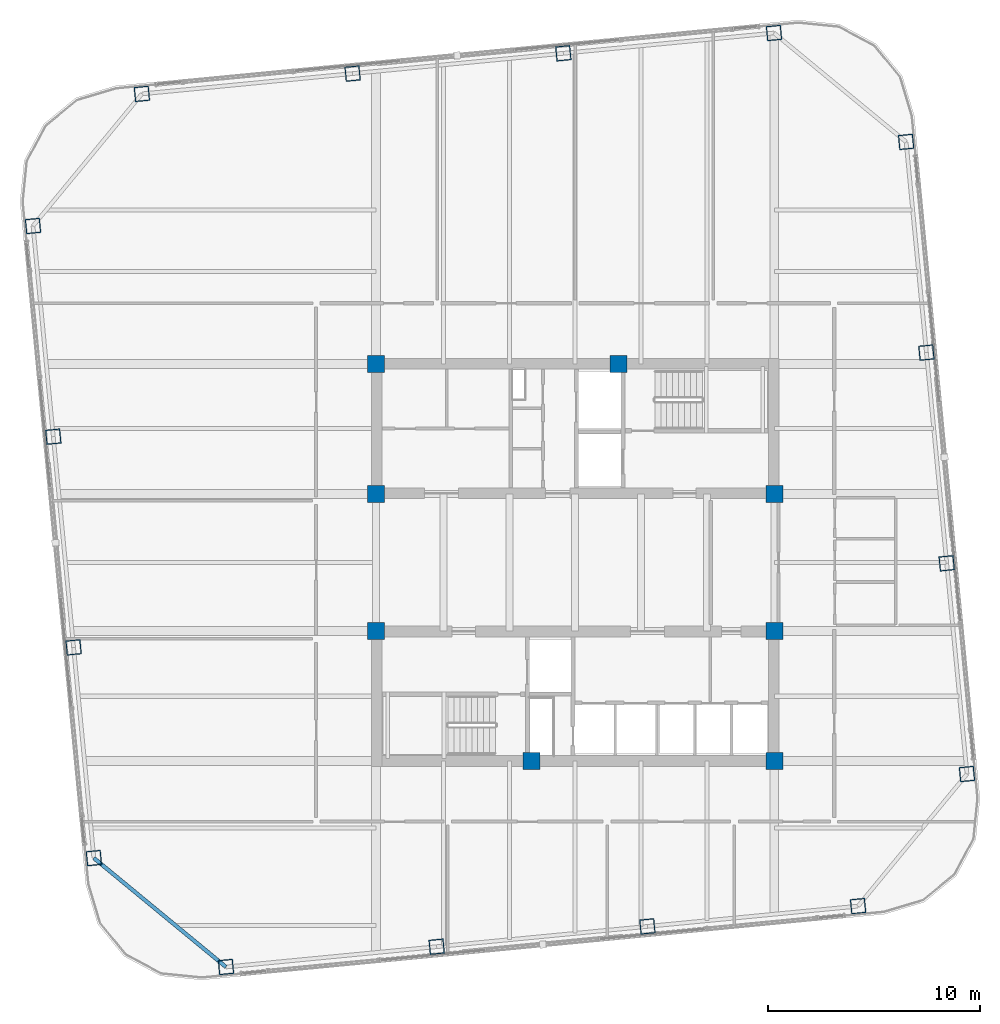
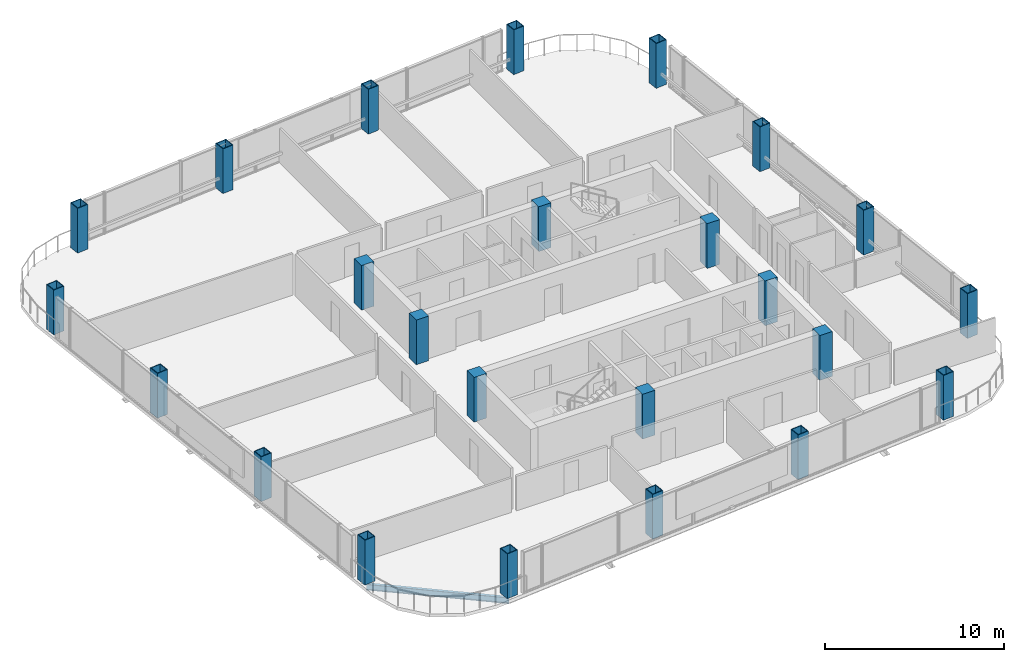
# One storey, part 1 of 29: 24 columns, 1 beam.
"""IFC4 building model written with IfcOpenShell, lengths in metres."""

from ifc_helpers import new_model, si_unit, direction, frame, origin, origin_2d, place, context, subcontext, project, spatial, rectangle, hollow_rectangle, i_section, extrude, material, material_profile, profile_set, type_object, element, save


model = new_model("IFC4")

# Units and contexts
model_context = context("Model", 3, precision=1e-05, world=origin(), true_north=direction((0.0, 1.0)))
body_context = subcontext(model_context, "Body", "Model", "MODEL_VIEW")
ifc_project = project(units=[si_unit("LENGTHUNIT", "METRE"), si_unit("AREAUNIT", "SQUARE_METRE"), si_unit("VOLUMEUNIT", "CUBIC_METRE"), si_unit("PLANEANGLEUNIT", "RADIAN"), si_unit("MASSUNIT", "GRAM", prefix="KILO")], contexts=[model_context])

# Site, building, storey
site_placement = place(None, origin())
site = spatial("IfcSite", under=ifc_project, at=site_placement, CompositionType="ELEMENT")
building_placement = place(site_placement, origin())
building = spatial("IfcBuilding", under=site, at=building_placement, Name="Qhalaya Broadcast Tower", CompositionType="ELEMENT")
storey_placement = place(building_placement, frame((0.0, 0.0, 177.5)))
storey = spatial("IfcBuildingStorey", under=building, at=storey_placement, Name="L52", CompositionType="ELEMENT", Elevation=177.5)

# Columns
ifc_material_1 = material(Name="Concrete C50/60", Category="concrete")
ifc_material_profile_1 = material_profile(ifc_material_1, rectangle(XDim=0.800048828125, YDim=0.800048828125, at=origin_2d()), Name="RC-COL 800x800")
ifc_profile_set_1 = profile_set([ifc_material_profile_1], Name="Concrete C50/60")
column_type_1 = type_object("IfcColumnType", Name="RC Upper Column C10", PredefinedType="COLUMN", material=ifc_profile_set_1)
for number, where, z_axis, x_axis, name in (
    (1, (-9.375, 9.949951171875, 0.0), (0.0, 0.0, 1.0), (1.0, 0.0, 0.0), "L52 Column COL-CC1"),
    (2, (2.050048828125, 9.949951171875, 0.0), (0.0, 0.0, 1.0), (1.0, 0.0, 0.0), "L52 Column COL-CC2"),
    (3, (-9.375, 3.824951171875, 0.0), (0.0, 0.0, 1.0), (1.0, 0.0, 0.0), "L52 Column COL-CC3"),
    (4, (9.375, 3.824951171875, 0.0), (0.0, 0.0, 1.0), (1.0, 0.0, 0.0), "L52 Column COL-CC4"),
    (5, (-9.375, -2.625, 0.0), (0.0, 0.0, 1.0), (1.0, 0.0, 0.0), "L52 Column COL-CC5"),
    (6, (9.375, -2.625, 0.0), (0.0, 0.0, 1.0), (1.0, 0.0, 0.0), "L52 Column COL-CC6"),
    (7, (-2.050048828125, -8.75, 0.0), (0.0, 0.0, 1.0), (1.0, 0.0, 0.0), "L52 Column COL-CC7"),
    (8, (9.375, -8.75, 0.0), (0.0, 0.0, 1.0), (1.0, 0.0, 0.0), "L52 Column COL-CC8"),
):
    element("IfcColumn", number, at=place(storey_placement, frame(where, z_axis=z_axis, x_axis=x_axis)), inside=storey, type_object=column_type_1, Name=name, PredefinedType="COLUMN", context=body_context, shape_type="SweptSolid", body=[
        extrude(rectangle(XDim=0.800048828125, YDim=0.800048828125, at=origin_2d()), origin(), (0.0, 0.0, 1.0), 3.050048828125),
    ])
ifc_material_2 = material(Name="Structural Steel ASTM A572 Grade 50", Category="steel")
ifc_material_profile_2 = material_profile(ifc_material_2, hollow_rectangle(XDim=0.699951171875, YDim=0.699951171875, WallThickness=0.044921875, at=origin_2d()), Name="BOX 700x700x45")
ifc_profile_set_2 = profile_set([ifc_material_profile_2], Name="Structural Steel ASTM A572 Grade 50")
column_type_2 = type_object("IfcColumnType", Name="Steel Box Column C04", PredefinedType="COLUMN", material=ifc_profile_set_2)
for number, where, z_axis, x_axis, name in (
    (9, (-16.44189453125, -18.44775390625, 0.0), (0.0, 0.0, 1.0), (0.995396198367, 0.09584575252, 0.0), "L52 Column COL-EX01"),
    (10, (-6.521240234375, -17.49267578125, 0.0), (0.0, 0.0, 1.0), (0.995396198367, 0.09584575252, 0.0), "L52 Column COL-EX02"),
    (11, (3.399658203125, -16.537353515625, 0.0), (0.0, 0.0, 1.0), (0.995396198367, 0.09584575252, 0.0), "L52 Column COL-EX03"),
    (12, (13.3203125, -15.58203125, 0.0), (0.0, 0.0, 1.0), (0.995396198367, 0.09584575252, 0.0), "L52 Column COL-EX04"),
    (13, (18.44775390625, -9.362060546875, 0.0), (0.0, 0.0, 1.0), (-0.09584575252, 0.995396198367, 0.0), "L52 Column COL-EX05"),
    (14, (17.49267578125, 0.558837890625, 0.0), (0.0, 0.0, 1.0), (-0.09584575252, 0.995396198367, 0.0), "L52 Column COL-EX06"),
    (15, (16.537353515625, 10.4794921875, 0.0), (0.0, 0.0, 1.0), (-0.09584575252, 0.995396198367, 0.0), "L52 Column COL-EX07"),
    (16, (15.58203125, 20.400390625, 0.0), (0.0, 0.0, 1.0), (-0.09584575252, 0.995396198367, 0.0), "L52 Column COL-EX08"),
    (17, (9.362060546875, 25.52783203125, 0.0), (0.0, 0.0, 1.0), (0.995396198367, 0.09584575252, 0.0), "L52 Column COL-EX09"),
    (18, (-0.558837890625, 24.572509765625, 0.0), (0.0, 0.0, 1.0), (0.995396198367, 0.09584575252, 0.0), "L52 Column COL-EX10"),
    (19, (-10.4794921875, 23.6171875, 0.0), (0.0, 0.0, 1.0), (0.995396198367, 0.09584575252, 0.0), "L52 Column COL-EX11"),
    (20, (-20.400390625, 22.662109375, 0.0), (0.0, 0.0, 1.0), (0.995396198367, 0.09584575252, 0.0), "L52 Column COL-EX12"),
    (21, (-25.52783203125, 16.44189453125, 0.0), (0.0, 0.0, 1.0), (-0.09584575252, 0.995396198367, 0.0), "L52 Column COL-EX13"),
    (22, (-24.572509765625, 6.521240234375, 0.0), (0.0, 0.0, 1.0), (-0.09584575252, 0.995396198367, 0.0), "L52 Column COL-EX14"),
    (23, (-23.6171875, -3.399658203125, 0.0), (0.0, 0.0, 1.0), (-0.09584575252, 0.995396198367, 0.0), "L52 Column COL-EX15"),
    (24, (-22.662109375, -13.3203125, 0.0), (0.0, 0.0, 1.0), (-0.09584575252, 0.995396198367, 0.0), "L52 Column COL-EX16"),
):
    element("IfcColumn", number, at=place(storey_placement, frame(where, z_axis=z_axis, x_axis=x_axis)), inside=storey, type_object=column_type_2, Name=name, PredefinedType="COLUMN", context=body_context, shape_type="SweptSolid", body=[
        extrude(hollow_rectangle(XDim=0.699951171875, YDim=0.699951171875, WallThickness=0.044921875, at=origin_2d()), origin(), (0.0, 0.0, 1.0), 3.050048828125),
    ])

# Beam
ifc_material_3 = material(Name="Structural Steel ASTM A992 Grade 50", Category="steel")
ifc_material_profile_3 = material_profile(ifc_material_3, i_section(OverallWidth=0.177978515625, OverallDepth=0.406005859375, WebThickness=0.0078125, FlangeThickness=0.0126953125, at=origin_2d()), Name="W16X40")
ifc_profile_set_3 = profile_set([ifc_material_profile_3], Name="Structural Steel ASTM A992 Grade 50")
beam_type = type_object("IfcBeamType", Name="Upper Perimeter Spandrel Beam SP2", PredefinedType="SPANDREL", material=ifc_profile_set_3)
beam_placement = place(storey_placement, frame((-22.662109375, -13.3203125, -0.423095703125), z_axis=(0.771631160126, -0.636070241972, 0.0), x_axis=(0.636070241972, 0.771631160126, 0.0)))
element("IfcBeam", 25, at=beam_placement, inside=storey, type_object=beam_type, Name="L52 SP2 L52-SPR-16", PredefinedType="SPANDREL", context=body_context, shape_type="SweptSolid", body=[
    extrude(i_section(OverallWidth=0.177978515625, OverallDepth=0.406005859375, WebThickness=0.0078125, FlangeThickness=0.0126953125, at=origin_2d()), origin(), (0.0, 0.0, 1.0), 8.06103515625),
])

save(model, "model.ifc")
